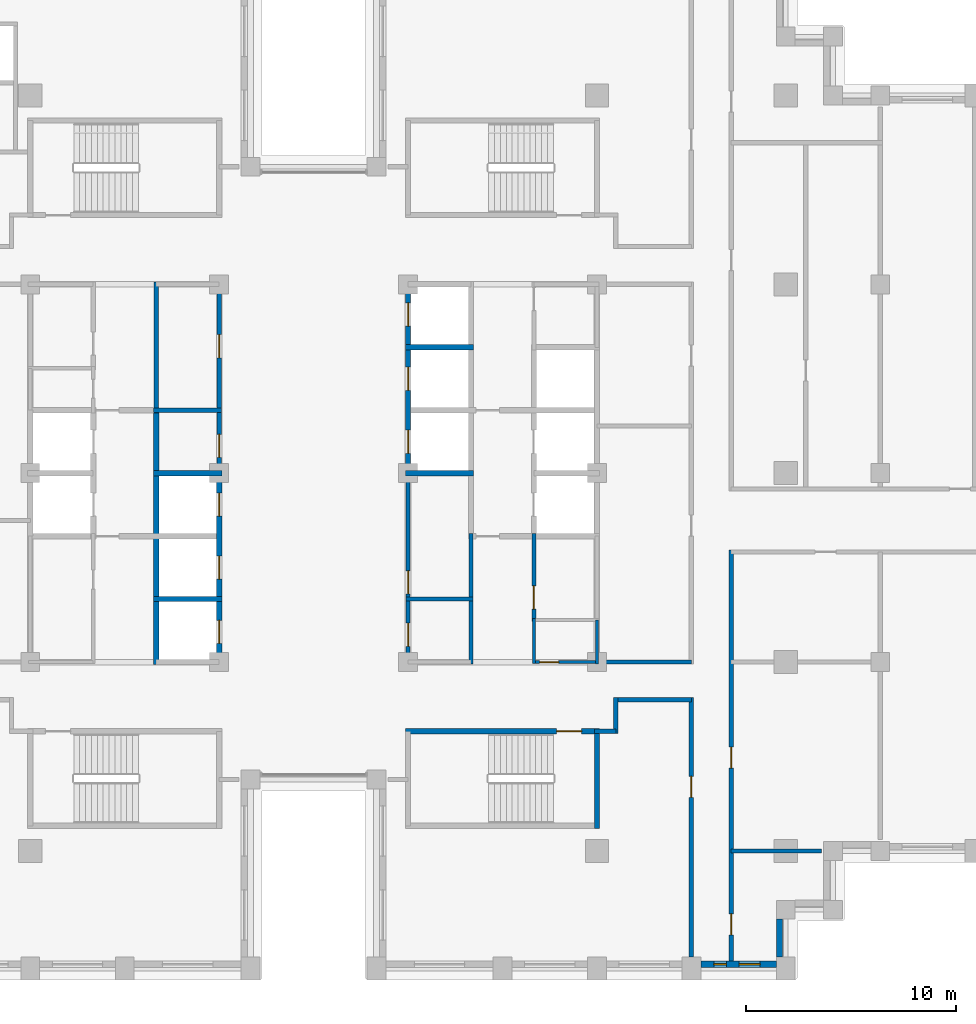
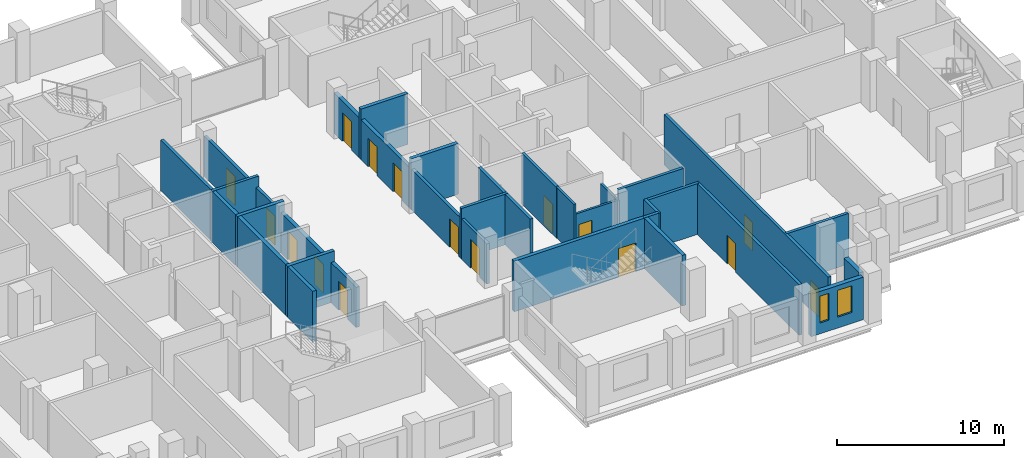
# One storey, part 8 of 16: 28 walls, 16 doors, 2 windows, 18 openings.
"""IFC4 building model written with IfcOpenShell, lengths in metres."""

from ifc_helpers import new_model, si_unit, direction, frame, frame_2d, origin, place, context, subcontext, project, spatial, rectangle, extrude, material, layer, layer_set, type_object, element, fill, save


model = new_model("IFC4")

# Units and contexts
model_context = context("Model", 3, precision=1e-05, world=origin(), true_north=direction((0.0, 1.0)))
body_context = subcontext(model_context, "Body", "Model", "MODEL_VIEW")
ifc_project = project(units=[si_unit("LENGTHUNIT", "METRE"), si_unit("AREAUNIT", "SQUARE_METRE"), si_unit("VOLUMEUNIT", "CUBIC_METRE"), si_unit("PLANEANGLEUNIT", "RADIAN"), si_unit("MASSUNIT", "GRAM", prefix="KILO")], contexts=[model_context])

# Site, building, storey
site_placement = place(None, origin())
site = spatial("IfcSite", under=ifc_project, at=site_placement, CompositionType="ELEMENT")
building_placement = place(site_placement, origin())
building = spatial("IfcBuilding", under=site, at=building_placement, Name="Corbelhall Arena Tower", CompositionType="ELEMENT")
storey_placement = place(building_placement, frame((0.0, 0.0, 150.0)))
storey = spatial("IfcBuildingStorey", under=building, at=storey_placement, Name="L29", CompositionType="ELEMENT", Elevation=150.0)

# Wall, openings, windows
ifc_material_1 = material(Name="Precast concrete C40/50 with granite facing", Category="masonry")
ifc_layer_1 = layer(ifc_material_1, 0.300048828125)
ifc_layer_set_1 = layer_set([ifc_layer_1], Name="EV-IW1 Infill panel 300")
wall_type_1 = type_object("IfcWallType", Name="EV-IW1 Infill panel 300", PredefinedType="SOLIDWALL", material=ifc_layer_set_1)
wall_1_placement = place(storey_placement, frame((18.449951171875, -23.39990234375, 0.0), z_axis=(0.0, 0.0, 1.0), x_axis=(1.0, 0.0, 0.0)))
wall_1 = element("IfcWall", 1, at=wall_1_placement, inside=storey, type_object=wall_type_1, Name="Infill panel IW1", PredefinedType="SOLIDWALL", context=body_context, shape_type="SweptSolid", body=[
    extrude(rectangle(XDim=3.60009765625, YDim=0.300048828125, at=frame_2d((1.800048828125, 0.0))), origin(), (0.0, 0.0, 1.0), 3.10009765625),
])
opening_1_placement = place(wall_1_placement, frame((0.625, 0.0, 0.800048828125)))
opening_1 = element("IfcOpeningElement", 2, at=opening_1_placement, cuts=wall_1, Name="Opening WN5", PredefinedType="OPENING", context=body_context, shape_type="SweptSolid", body=[
    extrude(rectangle(XDim=0.60009765625, YDim=1.949951171875, at=frame_2d((0.300048828125, 0.97509765625))), frame((0.0, 0.14990234375, 0.0), z_axis=(0.0, -1.0, 0.0), x_axis=(1.0, 0.0, 0.0)), (0.0, 0.0, 1.0), 0.300048828125),
])
opening_2_placement = place(wall_1_placement, frame((1.824951171875, 0.0, 0.800048828125)))
opening_2 = element("IfcOpeningElement", 3, at=opening_2_placement, cuts=wall_1, Name="Opening WN6", PredefinedType="OPENING", context=body_context, shape_type="SweptSolid", body=[
    extrude(rectangle(XDim=1.0, YDim=1.949951171875, at=frame_2d((0.5, 0.97509765625))), frame((0.0, 0.14990234375, 0.0), z_axis=(0.0, -1.0, 0.0), x_axis=(1.0, 0.0, 0.0)), (0.0, 0.0, 1.0), 0.300048828125),
])
ifc_material_2 = material(Name="Aluminium black anodised", Category="aluminium")
window_type_1 = type_object("IfcWindowType", Name="EV-WN5 Office window 600", PartitioningType="SINGLE_PANEL", PredefinedType="WINDOW", material=ifc_material_2)
window_1_placement = place(opening_1_placement, origin())
window_1 = element("IfcWindow", 4, at=window_1_placement, inside=storey, type_object=window_type_1, Name="Window WN5", OverallHeight=1.949951171875, OverallWidth=0.60009765625, PartitioningType="SINGLE_PANEL", PredefinedType="WINDOW", context=body_context, shape_type="SweptSolid", body=[
    extrude(rectangle(XDim=0.60009765625, YDim=1.949951171875, at=frame_2d((0.300048828125, 0.97509765625))), frame((0.0, 0.030029296875, 0.0), z_axis=(0.0, -1.0, 0.0), x_axis=(1.0, 0.0, 0.0)), (0.0, 0.0, 1.0), 0.06005859375),
])
fill(opening_1, window_1)
window_type_2 = type_object("IfcWindowType", Name="EV-WN6 Office window 1000", PartitioningType="SINGLE_PANEL", PredefinedType="WINDOW", material=ifc_material_2)
window_2_placement = place(opening_2_placement, origin())
window_2 = element("IfcWindow", 5, at=window_2_placement, inside=storey, type_object=window_type_2, Name="Window WN6", OverallHeight=1.949951171875, OverallWidth=1.0, PartitioningType="SINGLE_PANEL", PredefinedType="WINDOW", context=body_context, shape_type="SweptSolid", body=[
    extrude(rectangle(XDim=1.0, YDim=1.949951171875, at=frame_2d((0.5, 0.97509765625))), frame((0.0, 0.030029296875, 0.0), z_axis=(0.0, -1.0, 0.0), x_axis=(1.0, 0.0, 0.0)), (0.0, 0.0, 1.0), 0.06005859375),
])
fill(opening_2, window_2)

# Walls
wall_2_placement = place(storey_placement, frame((22.199951171875, -23.050048828125, 0.0), z_axis=(0.0, 0.0, 1.0), x_axis=(0.0, 1.0, 0.0)))
element("IfcWall", 6, at=wall_2_placement, inside=storey, type_object=wall_type_1, Name="Infill panel IW1", PredefinedType="SOLIDWALL", context=body_context, shape_type="SweptSolid", body=[
    extrude(rectangle(XDim=1.800048828125, YDim=0.300048828125, at=frame_2d((0.89990234375, 0.0))), origin(), (0.0, 0.0, 1.0), 3.10009765625),
])
ifc_material_3 = material(Name="Gypsum board on steel stud, acoustic", Category="steel")
ifc_layer_2 = layer(ifc_material_3, 0.199951171875)
ifc_layer_set_2 = layer_set([ifc_layer_2], Name="IN-W-DM200")
wall_type_2 = type_object("IfcWallType", Name="IN-W-DM200", PredefinedType="PARTITIONING", material=ifc_layer_set_2)
wall_3_placement = place(storey_placement, frame((13.5, -9.0, 0.0), z_axis=(0.0, 0.0, 1.0), x_axis=(1.0, 0.0, 0.0)))
element("IfcWall", 7, at=wall_3_placement, inside=storey, type_object=wall_type_2, Name="Partition 038", PredefinedType="PARTITIONING", context=body_context, shape_type="SweptSolid", body=[
    extrude(rectangle(XDim=4.5, YDim=0.199951171875, at=frame_2d((2.25, 0.0))), origin(), (0.0, 0.0, 1.0), 3.699951171875),
])
wall_4_placement = place(storey_placement, frame((14.39990234375, -12.300048828125, 0.0), z_axis=(0.0, 0.0, 1.0), x_axis=(-1.0, 0.0, 0.0)))
element("IfcWall", 8, at=wall_4_placement, inside=storey, type_object=wall_type_2, Name="Partition 040", PredefinedType="PARTITIONING", context=body_context, shape_type="SweptSolid", body=[
    extrude(rectangle(XDim=1.02490234375, YDim=0.199951171875, at=frame_2d((0.512451171875, 0.0))), origin(), (0.0, 0.0, 1.0), 3.699951171875),
])
wall_5_placement = place(storey_placement, frame((14.39990234375, -10.699951171875, 0.0), z_axis=(0.0, 0.0, 1.0), x_axis=(0.0, -1.0, 0.0)))
element("IfcWall", 9, at=wall_5_placement, inside=storey, type_object=wall_type_2, Name="Partition 041", PredefinedType="PARTITIONING", context=body_context, shape_type="SweptSolid", body=[
    extrude(rectangle(XDim=1.699951171875, YDim=0.199951171875, at=frame_2d((0.85009765625, 0.0))), origin(), (0.0, 0.0, 1.0), 3.699951171875),
])

# Wall, opening, door
wall_6_placement = place(storey_placement, frame((18.0, -23.050048828125, 0.0), z_axis=(0.0, 0.0, 1.0), x_axis=(0.0, 1.0, 0.0)))
wall_6 = element("IfcWall", 10, at=wall_6_placement, inside=storey, type_object=wall_type_2, Name="Partition 045", PredefinedType="PARTITIONING", context=body_context, shape_type="SweptSolid", body=[
    extrude(rectangle(XDim=12.35009765625, YDim=0.199951171875, at=frame_2d((6.175048828125, 0.0))), origin(), (0.0, 0.0, 1.0), 3.699951171875),
])
opening_3_placement = place(wall_6_placement, frame((7.60009765625, 0.0, 0.0)))
opening_3 = element("IfcOpeningElement", 11, at=opening_3_placement, cuts=wall_6, Name="Opening 08030", PredefinedType="OPENING", context=body_context, shape_type="SweptSolid", body=[
    extrude(rectangle(XDim=1.0, YDim=2.10009765625, at=frame_2d((0.5, 1.050048828125))), frame((0.0, 0.10009765625, 0.0), z_axis=(0.0, -1.0, 0.0), x_axis=(1.0, 0.0, 0.0)), (0.0, 0.0, 1.0), 0.199951171875),
])
ifc_material_4 = material(Name="Steel door set", Category="steel")
door_type_1 = type_object("IfcDoorType", Name="IN-D-SW100", OperationType="NOTDEFINED", PredefinedType="DOOR", material=ifc_material_4)
door_1_placement = place(opening_3_placement, origin())
door_1 = element("IfcDoor", 12, at=door_1_placement, inside=storey, type_object=door_type_1, Name="Door 030", OperationType="SINGLE_SWING_LEFT", OverallHeight=2.10009765625, OverallWidth=1.0, PredefinedType="DOOR", context=body_context, shape_type="SweptSolid", body=[
    extrude(rectangle(XDim=1.0, YDim=2.10009765625, at=frame_2d((0.5, 1.050048828125))), frame((0.0, 0.02490234375, 0.0), z_axis=(0.0, -1.0, 0.0), x_axis=(1.0, 0.0, 0.0)), (0.0, 0.0, 1.0), 0.050048828125),
])
fill(opening_3, door_1)

# Walls
wall_7_placement = place(storey_placement, frame((18.0, -10.800048828125, 0.0), z_axis=(0.0, 0.0, 1.0), x_axis=(-1.0, 0.0, 0.0)))
element("IfcWall", 13, at=wall_7_placement, inside=storey, type_object=wall_type_2, Name="Partition 046", PredefinedType="PARTITIONING", context=body_context, shape_type="SweptSolid", body=[
    extrude(rectangle(XDim=3.60009765625, YDim=0.199951171875, at=frame_2d((1.800048828125, 0.0))), origin(), (0.0, 0.0, 1.0), 3.699951171875),
])
wall_8_placement = place(storey_placement, frame((19.89990234375, -18.0, 0.0), z_axis=(0.0, 0.0, 1.0), x_axis=(1.0, 0.0, 0.0)))
element("IfcWall", 14, at=wall_8_placement, inside=storey, type_object=wall_type_2, Name="Partition 049", PredefinedType="PARTITIONING", context=body_context, shape_type="SweptSolid", body=[
    extrude(rectangle(XDim=4.300048828125, YDim=0.199951171875, at=frame_2d((2.14990234375, 0.0))), origin(), (0.0, 0.0, 1.0), 3.699951171875),
])

# Wall, openings, doors
wall_9_placement = place(storey_placement, frame((19.89990234375, -3.64990234375, 0.0), z_axis=(0.0, 0.0, 1.0), x_axis=(0.0, -1.0, 0.0)))
wall_9 = element("IfcWall", 15, at=wall_9_placement, inside=storey, type_object=wall_type_2, Name="Partition 050", PredefinedType="PARTITIONING", context=body_context, shape_type="SweptSolid", body=[
    extrude(rectangle(XDim=19.60009765625, YDim=0.199951171875, at=frame_2d((9.800048828125, 0.0))), origin(), (0.0, 0.0, 1.0), 3.699951171875),
])
opening_4_placement = place(wall_9_placement, frame((17.35009765625, 0.0, 0.0)))
opening_4 = element("IfcOpeningElement", 16, at=opening_4_placement, cuts=wall_9, Name="Opening 08039", PredefinedType="OPENING", context=body_context, shape_type="SweptSolid", body=[
    extrude(rectangle(XDim=1.0, YDim=2.10009765625, at=frame_2d((0.5, 1.050048828125))), frame((0.0, 0.10009765625, 0.0), z_axis=(0.0, -1.0, 0.0), x_axis=(1.0, 0.0, 0.0)), (0.0, 0.0, 1.0), 0.199951171875),
])
opening_5_placement = place(wall_9_placement, frame((9.39990234375, 0.0, 0.0)))
opening_5 = element("IfcOpeningElement", 17, at=opening_5_placement, cuts=wall_9, Name="Opening 08040", PredefinedType="OPENING", context=body_context, shape_type="SweptSolid", body=[
    extrude(rectangle(XDim=1.0, YDim=2.10009765625, at=frame_2d((0.5, 1.050048828125))), frame((0.0, 0.10009765625, 0.0), z_axis=(0.0, -1.0, 0.0), x_axis=(1.0, 0.0, 0.0)), (0.0, 0.0, 1.0), 0.199951171875),
])
door_2_placement = place(opening_4_placement, origin())
door_2 = element("IfcDoor", 18, at=door_2_placement, inside=storey, type_object=door_type_1, Name="Door 039", OperationType="SINGLE_SWING_RIGHT", OverallHeight=2.10009765625, OverallWidth=1.0, PredefinedType="DOOR", context=body_context, shape_type="SweptSolid", body=[
    extrude(rectangle(XDim=1.0, YDim=2.10009765625, at=frame_2d((0.5, 1.050048828125))), frame((0.0, 0.02490234375, 0.0), z_axis=(0.0, -1.0, 0.0), x_axis=(1.0, 0.0, 0.0)), (0.0, 0.0, 1.0), 0.050048828125),
])
fill(opening_4, door_2)
door_3_placement = place(opening_5_placement, origin())
door_3 = element("IfcDoor", 19, at=door_3_placement, inside=storey, type_object=door_type_1, Name="Door 040", OperationType="SINGLE_SWING_LEFT", OverallHeight=2.10009765625, OverallWidth=1.0, PredefinedType="DOOR", context=body_context, shape_type="SweptSolid", body=[
    extrude(rectangle(XDim=1.0, YDim=2.10009765625, at=frame_2d((0.5, 1.050048828125))), frame((0.0, 0.02490234375, 0.0), z_axis=(0.0, -1.0, 0.0), x_axis=(1.0, 0.0, 0.0)), (0.0, 0.0, 1.0), 0.050048828125),
])
fill(opening_5, door_3)

# Walls
ifc_material_5 = material(Name="Concrete block wall", Category="concrete")
ifc_layer_3 = layer(ifc_material_5, 0.199951171875)
ifc_layer_set_3 = layer_set([ifc_layer_3], Name="IN-W-RS200")
wall_type_3 = type_object("IfcWallType", Name="IN-W-RS200", PredefinedType="SOLIDWALL", material=ifc_layer_set_3)
wall_10_placement = place(storey_placement, frame((-7.625, 3.0, 0.0), z_axis=(0.0, 0.0, 1.0), x_axis=(1.0, 0.0, 0.0)))
element("IfcWall", 20, at=wall_10_placement, inside=storey, type_object=wall_type_3, Name="Partition 067", PredefinedType="SOLIDWALL", context=body_context, shape_type="SweptSolid", body=[
    extrude(rectangle(XDim=3.22509765625, YDim=0.199951171875, at=frame_2d((1.612548828125, 0.0))), origin(), (0.0, 0.0, 1.0), 3.699951171875),
])
wall_11_placement = place(storey_placement, frame((-7.5, 2.875, 0.0), z_axis=(0.0, 0.0, 1.0), x_axis=(0.0, 1.0, 0.0)))
element("IfcWall", 21, at=wall_11_placement, inside=storey, type_object=wall_type_3, Name="Partition 068", PredefinedType="SOLIDWALL", context=body_context, shape_type="SweptSolid", body=[
    extrude(rectangle(XDim=6.22509765625, YDim=0.199951171875, at=frame_2d((3.112548828125, 0.0))), origin(), (0.0, 0.0, 1.0), 3.699951171875),
])
wall_12_placement = place(storey_placement, frame((4.39990234375, -6.0, 0.0), z_axis=(0.0, 0.0, 1.0), x_axis=(1.0, 0.0, 0.0)))
element("IfcWall", 22, at=wall_12_placement, inside=storey, type_object=wall_type_3, Name="Partition 071", PredefinedType="SOLIDWALL", context=body_context, shape_type="SweptSolid", body=[
    extrude(rectangle(XDim=3.2001953125, YDim=0.199951171875, at=frame_2d((1.60009765625, 0.0))), origin(), (0.0, 0.0, 1.0), 3.699951171875),
])
wall_13_placement = place(storey_placement, frame((7.5, -2.875, 0.0), z_axis=(0.0, 0.0, 1.0), x_axis=(0.0, -1.0, 0.0)))
element("IfcWall", 23, at=wall_13_placement, inside=storey, type_object=wall_type_3, Name="Partition 074", PredefinedType="SOLIDWALL", context=body_context, shape_type="SweptSolid", body=[
    extrude(rectangle(XDim=6.22509765625, YDim=0.199951171875, at=frame_2d((3.112548828125, 0.0))), origin(), (0.0, 0.0, 1.0), 3.699951171875),
])

# Wall, opening, door
wall_14_placement = place(storey_placement, frame((10.5, -2.875, 0.0), z_axis=(0.0, 0.0, 1.0), x_axis=(0.0, -1.0, 0.0)))
wall_14 = element("IfcWall", 24, at=wall_14_placement, inside=storey, type_object=wall_type_3, Name="Partition 075", PredefinedType="SOLIDWALL", context=body_context, shape_type="SweptSolid", body=[
    extrude(rectangle(XDim=4.199951171875, YDim=0.199951171875, at=frame_2d((2.10009765625, 0.0))), origin(), (0.0, 0.0, 1.0), 3.699951171875),
])
opening_6_placement = place(wall_14_placement, frame((2.5, 0.0, 0.0)))
opening_6 = element("IfcOpeningElement", 25, at=opening_6_placement, cuts=wall_14, Name="Opening 08013", PredefinedType="OPENING", context=body_context, shape_type="SweptSolid", body=[
    extrude(rectangle(XDim=1.10009765625, YDim=2.10009765625, at=frame_2d((0.550048828125, 1.050048828125))), frame((0.0, 0.10009765625, 0.0), z_axis=(0.0, -1.0, 0.0), x_axis=(1.0, 0.0, 0.0)), (0.0, 0.0, 1.0), 0.199951171875),
])
door_type_2 = type_object("IfcDoorType", Name="IN-D-FD110", OperationType="NOTDEFINED", PredefinedType="DOOR", material=ifc_material_4)
door_4_placement = place(opening_6_placement, origin())
door_4 = element("IfcDoor", 26, at=door_4_placement, inside=storey, type_object=door_type_2, Name="Door 013", OperationType="SINGLE_SWING_RIGHT", OverallHeight=2.10009765625, OverallWidth=1.10009765625, PredefinedType="DOOR", context=body_context, shape_type="SweptSolid", body=[
    extrude(rectangle(XDim=1.10009765625, YDim=2.10009765625, at=frame_2d((0.550048828125, 1.050048828125))), frame((0.0, 0.02490234375, 0.0), z_axis=(0.0, -1.0, 0.0), x_axis=(1.0, 0.0, 0.0)), (0.0, 0.0, 1.0), 0.050048828125),
])
fill(opening_6, door_4)

# Wall, openings, doors
ifc_layer_4 = layer(ifc_material_5, 0.199951171875)
ifc_layer_set_4 = layer_set([ifc_layer_4], Name="IN-W-RS200 under beam 762 mm")
wall_type_4 = type_object("IfcWallType", Name="IN-W-RS200 under beam 762 mm", PredefinedType="SOLIDWALL", material=ifc_layer_set_4)
wall_15_placement = place(storey_placement, frame((-4.5, 9.10009765625, 0.0), z_axis=(0.0, 0.0, 1.0), x_axis=(0.0, -1.0, 0.0)))
wall_15 = element("IfcWall", 27, at=wall_15_placement, inside=storey, type_object=wall_type_4, Name="Partition 070", PredefinedType="SOLIDWALL", context=body_context, shape_type="SweptSolid", body=[
    extrude(rectangle(XDim=9.10009765625, YDim=0.199951171875, at=frame_2d((4.550048828125, 0.0))), origin(), (0.0, 0.0, 1.0), 2.93798828125),
])
opening_7_placement = place(wall_15_placement, frame((7.25, 0.0, 0.0)))
opening_7 = element("IfcOpeningElement", 28, at=opening_7_placement, cuts=wall_15, Name="Opening 08001", PredefinedType="OPENING", context=body_context, shape_type="SweptSolid", body=[
    extrude(rectangle(XDim=1.10009765625, YDim=2.10009765625, at=frame_2d((0.550048828125, 1.050048828125))), frame((0.0, 0.10009765625, 0.0), z_axis=(0.0, -1.0, 0.0), x_axis=(1.0, 0.0, 0.0)), (0.0, 0.0, 1.0), 0.199951171875),
])
opening_8_placement = place(wall_15_placement, frame((2.5, 0.0, 0.0)))
opening_8 = element("IfcOpeningElement", 29, at=opening_8_placement, cuts=wall_15, Name="Opening 08002", PredefinedType="OPENING", context=body_context, shape_type="SweptSolid", body=[
    extrude(rectangle(XDim=1.10009765625, YDim=2.10009765625, at=frame_2d((0.550048828125, 1.050048828125))), frame((0.0, 0.10009765625, 0.0), z_axis=(0.0, -1.0, 0.0), x_axis=(1.0, 0.0, 0.0)), (0.0, 0.0, 1.0), 0.199951171875),
])
door_5_placement = place(opening_7_placement, origin())
door_5 = element("IfcDoor", 30, at=door_5_placement, inside=storey, type_object=door_type_2, Name="Door 001", OperationType="SINGLE_SWING_RIGHT", OverallHeight=2.10009765625, OverallWidth=1.10009765625, PredefinedType="DOOR", context=body_context, shape_type="SweptSolid", body=[
    extrude(rectangle(XDim=1.10009765625, YDim=2.10009765625, at=frame_2d((0.550048828125, 1.050048828125))), frame((0.0, 0.02490234375, 0.0), z_axis=(0.0, -1.0, 0.0), x_axis=(1.0, 0.0, 0.0)), (0.0, 0.0, 1.0), 0.050048828125),
])
fill(opening_7, door_5)
door_6_placement = place(opening_8_placement, origin())
door_6 = element("IfcDoor", 31, at=door_6_placement, inside=storey, type_object=door_type_2, Name="Door 002", OperationType="SINGLE_SWING_LEFT", OverallHeight=2.10009765625, OverallWidth=1.10009765625, PredefinedType="DOOR", context=body_context, shape_type="SweptSolid", body=[
    extrude(rectangle(XDim=1.10009765625, YDim=2.10009765625, at=frame_2d((0.550048828125, 1.050048828125))), frame((0.0, 0.02490234375, 0.0), z_axis=(0.0, -1.0, 0.0), x_axis=(1.0, 0.0, 0.0)), (0.0, 0.0, 1.0), 0.050048828125),
])
fill(opening_8, door_6)

wall_16_placement = place(storey_placement, frame((4.5, -9.10009765625, 0.0), z_axis=(0.0, 0.0, 1.0), x_axis=(0.0, 1.0, 0.0)))
wall_16 = element("IfcWall", 32, at=wall_16_placement, inside=storey, type_object=wall_type_4, Name="Partition 072", PredefinedType="SOLIDWALL", context=body_context, shape_type="SweptSolid", body=[
    extrude(rectangle(XDim=9.10009765625, YDim=0.199951171875, at=frame_2d((4.550048828125, 0.0))), origin(), (0.0, 0.0, 1.0), 2.93798828125),
])
opening_9_placement = place(wall_16_placement, frame((0.85009765625, 0.0, 0.0)))
opening_9 = element("IfcOpeningElement", 33, at=opening_9_placement, cuts=wall_16, Name="Opening 08008", PredefinedType="OPENING", context=body_context, shape_type="SweptSolid", body=[
    extrude(rectangle(XDim=1.10009765625, YDim=2.10009765625, at=frame_2d((0.550048828125, 1.050048828125))), frame((0.0, 0.10009765625, 0.0), z_axis=(0.0, -1.0, 0.0), x_axis=(1.0, 0.0, 0.0)), (0.0, 0.0, 1.0), 0.199951171875),
])
opening_10_placement = place(wall_16_placement, frame((3.35009765625, 0.0, 0.0)))
opening_10 = element("IfcOpeningElement", 34, at=opening_10_placement, cuts=wall_16, Name="Opening 08009", PredefinedType="OPENING", context=body_context, shape_type="SweptSolid", body=[
    extrude(rectangle(XDim=1.10009765625, YDim=2.10009765625, at=frame_2d((0.550048828125, 1.050048828125))), frame((0.0, 0.10009765625, 0.0), z_axis=(0.0, -1.0, 0.0), x_axis=(1.0, 0.0, 0.0)), (0.0, 0.0, 1.0), 0.199951171875),
])
door_7_placement = place(opening_9_placement, origin())
door_7 = element("IfcDoor", 35, at=door_7_placement, inside=storey, type_object=door_type_2, Name="Door 008", OperationType="SINGLE_SWING_LEFT", OverallHeight=2.10009765625, OverallWidth=1.10009765625, PredefinedType="DOOR", context=body_context, shape_type="SweptSolid", body=[
    extrude(rectangle(XDim=1.10009765625, YDim=2.10009765625, at=frame_2d((0.550048828125, 1.050048828125))), frame((0.0, 0.02490234375, 0.0), z_axis=(0.0, -1.0, 0.0), x_axis=(1.0, 0.0, 0.0)), (0.0, 0.0, 1.0), 0.050048828125),
])
fill(opening_9, door_7)
door_8_placement = place(opening_10_placement, origin())
door_8 = element("IfcDoor", 36, at=door_8_placement, inside=storey, type_object=door_type_2, Name="Door 009", OperationType="SINGLE_SWING_RIGHT", OverallHeight=2.10009765625, OverallWidth=1.10009765625, PredefinedType="DOOR", context=body_context, shape_type="SweptSolid", body=[
    extrude(rectangle(XDim=1.10009765625, YDim=2.10009765625, at=frame_2d((0.550048828125, 1.050048828125))), frame((0.0, 0.02490234375, 0.0), z_axis=(0.0, -1.0, 0.0), x_axis=(1.0, 0.0, 0.0)), (0.0, 0.0, 1.0), 0.050048828125),
])
fill(opening_10, door_8)

# Walls
ifc_material_6 = material(Name="Concrete C40/50", Category="concrete")
ifc_layer_5 = layer(ifc_material_6, 0.25)
ifc_layer_set_5 = layer_set([ifc_layer_5], Name="IN-W-SH250")
wall_type_5 = type_object("IfcWallType", Name="IN-W-SH250", PredefinedType="SOLIDWALL", material=ifc_layer_set_5)
for number, where, z_axis, x_axis, name in (
    (37, (-7.625, -6.0, 0.0), (0.0, 0.0, 1.0), (1.0, 0.0, 0.0), "Shaft wall 085"),
    (38, (-7.625, 0.0, 0.0), (0.0, 0.0, 1.0), (1.0, 0.0, 0.0), "Shaft wall 086"),
):
    element("IfcWall", number, at=place(storey_placement, frame(where, z_axis=z_axis, x_axis=x_axis)), inside=storey, type_object=wall_type_5, Name=name, PredefinedType="SOLIDWALL", context=body_context, shape_type="SweptSolid", body=[
        extrude(rectangle(XDim=3.25, YDim=0.25, at=frame_2d((1.625, 0.0))), origin(), (0.0, 0.0, 1.0), 3.699951171875),
    ])
wall_17_placement = place(storey_placement, frame((-7.5, -9.125, 0.0), z_axis=(0.0, 0.0, 1.0), x_axis=(0.0, 1.0, 0.0)))
element("IfcWall", 39, at=wall_17_placement, inside=storey, type_object=wall_type_5, Name="Shaft wall 087", PredefinedType="SOLIDWALL", context=body_context, shape_type="SweptSolid", body=[
    extrude(rectangle(XDim=12.25, YDim=0.25, at=frame_2d((6.125, 0.0))), origin(), (0.0, 0.0, 1.0), 3.699951171875),
])
for number, where, z_axis, x_axis, name in (
    (40, (4.375, 0.0, 0.0), (0.0, 0.0, 1.0), (1.0, 0.0, 0.0), "Shaft wall 090"),
    (41, (4.375, 6.0, 0.0), (0.0, 0.0, 1.0), (1.0, 0.0, 0.0), "Shaft wall 092"),
):
    element("IfcWall", number, at=place(storey_placement, frame(where, z_axis=z_axis, x_axis=x_axis)), inside=storey, type_object=wall_type_5, Name=name, PredefinedType="SOLIDWALL", context=body_context, shape_type="SweptSolid", body=[
        extrude(rectangle(XDim=3.25, YDim=0.25, at=frame_2d((1.625, 0.0))), origin(), (0.0, 0.0, 1.0), 3.699951171875),
    ])

# Wall, openings, doors
ifc_layer_6 = layer(ifc_material_6, 0.25)
ifc_layer_set_6 = layer_set([ifc_layer_6], Name="IN-W-SH250 under beam 762 mm")
wall_type_6 = type_object("IfcWallType", Name="IN-W-SH250 under beam 762 mm", PredefinedType="SOLIDWALL", material=ifc_layer_set_6)
wall_18_placement = place(storey_placement, frame((-4.5, 0.0, 0.0), z_axis=(0.0, 0.0, 1.0), x_axis=(0.0, -1.0, 0.0)))
wall_18 = element("IfcWall", 42, at=wall_18_placement, inside=storey, type_object=wall_type_6, Name="Shaft wall 089", PredefinedType="SOLIDWALL", context=body_context, shape_type="SweptSolid", body=[
    extrude(rectangle(XDim=9.125, YDim=0.25, at=frame_2d((4.5625, 0.0))), origin(), (0.0, 0.0, 1.0), 2.93798828125),
])
opening_11_placement = place(wall_18_placement, frame((7.012451171875, 0.0, 0.0)))
opening_11 = element("IfcOpeningElement", 43, at=opening_11_placement, cuts=wall_18, Name="Opening LD", PredefinedType="OPENING", context=body_context, shape_type="SweptSolid", body=[
    extrude(rectangle(XDim=1.10009765625, YDim=2.10009765625, at=frame_2d((0.550048828125, 1.050048828125))), frame((0.0, 0.125, 0.0), z_axis=(0.0, -1.0, 0.0), x_axis=(1.0, 0.0, 0.0)), (0.0, 0.0, 1.0), 0.25),
])
opening_12_placement = place(wall_18_placement, frame((3.949951171875, 0.0, 0.0)))
opening_12 = element("IfcOpeningElement", 44, at=opening_12_placement, cuts=wall_18, Name="Opening LD", PredefinedType="OPENING", context=body_context, shape_type="SweptSolid", body=[
    extrude(rectangle(XDim=1.10009765625, YDim=2.10009765625, at=frame_2d((0.550048828125, 1.050048828125))), frame((0.0, 0.125, 0.0), z_axis=(0.0, -1.0, 0.0), x_axis=(1.0, 0.0, 0.0)), (0.0, 0.0, 1.0), 0.25),
])
opening_13_placement = place(wall_18_placement, frame((0.949951171875, 0.0, 0.0)))
opening_13 = element("IfcOpeningElement", 45, at=opening_13_placement, cuts=wall_18, Name="Opening LD", PredefinedType="OPENING", context=body_context, shape_type="SweptSolid", body=[
    extrude(rectangle(XDim=1.10009765625, YDim=2.10009765625, at=frame_2d((0.550048828125, 1.050048828125))), frame((0.0, 0.125, 0.0), z_axis=(0.0, -1.0, 0.0), x_axis=(1.0, 0.0, 0.0)), (0.0, 0.0, 1.0), 0.25),
])
door_type_3 = type_object("IfcDoorType", Name="IN-D-LD110", OperationType="NOTDEFINED", PredefinedType="DOOR", material=ifc_material_4)
door_9_placement = place(opening_11_placement, origin())
door_9 = element("IfcDoor", 46, at=door_9_placement, inside=storey, type_object=door_type_3, Name="Landing door W1", OperationType="SLIDING_TO_LEFT", OverallHeight=2.10009765625, OverallWidth=1.10009765625, PredefinedType="DOOR", context=body_context, shape_type="SweptSolid", body=[
    extrude(rectangle(XDim=1.10009765625, YDim=2.10009765625, at=frame_2d((0.550048828125, 1.050048828125))), frame((0.0, 0.02490234375, 0.0), z_axis=(0.0, -1.0, 0.0), x_axis=(1.0, 0.0, 0.0)), (0.0, 0.0, 1.0), 0.050048828125),
])
fill(opening_11, door_9)
door_10_placement = place(opening_12_placement, origin())
door_10 = element("IfcDoor", 47, at=door_10_placement, inside=storey, type_object=door_type_3, Name="Landing door W2", OperationType="SLIDING_TO_LEFT", OverallHeight=2.10009765625, OverallWidth=1.10009765625, PredefinedType="DOOR", context=body_context, shape_type="SweptSolid", body=[
    extrude(rectangle(XDim=1.10009765625, YDim=2.10009765625, at=frame_2d((0.550048828125, 1.050048828125))), frame((0.0, 0.02490234375, 0.0), z_axis=(0.0, -1.0, 0.0), x_axis=(1.0, 0.0, 0.0)), (0.0, 0.0, 1.0), 0.050048828125),
])
fill(opening_12, door_10)
door_11_placement = place(opening_13_placement, origin())
door_11 = element("IfcDoor", 48, at=door_11_placement, inside=storey, type_object=door_type_3, Name="Landing door W3", OperationType="SLIDING_TO_LEFT", OverallHeight=2.10009765625, OverallWidth=1.10009765625, PredefinedType="DOOR", context=body_context, shape_type="SweptSolid", body=[
    extrude(rectangle(XDim=1.10009765625, YDim=2.10009765625, at=frame_2d((0.550048828125, 1.050048828125))), frame((0.0, 0.02490234375, 0.0), z_axis=(0.0, -1.0, 0.0), x_axis=(1.0, 0.0, 0.0)), (0.0, 0.0, 1.0), 0.050048828125),
])
fill(opening_13, door_11)

wall_19_placement = place(storey_placement, frame((4.5, 0.0, 0.0), z_axis=(0.0, 0.0, 1.0), x_axis=(0.0, 1.0, 0.0)))
wall_19 = element("IfcWall", 49, at=wall_19_placement, inside=storey, type_object=wall_type_6, Name="Shaft wall 093", PredefinedType="SOLIDWALL", context=body_context, shape_type="SweptSolid", body=[
    extrude(rectangle(XDim=9.125, YDim=0.25, at=frame_2d((4.5625, 0.0))), origin(), (0.0, 0.0, 1.0), 2.93798828125),
])
opening_14_placement = place(wall_19_placement, frame((0.949951171875, 0.0, 0.0)))
opening_14 = element("IfcOpeningElement", 50, at=opening_14_placement, cuts=wall_19, Name="Opening LD", PredefinedType="OPENING", context=body_context, shape_type="SweptSolid", body=[
    extrude(rectangle(XDim=1.10009765625, YDim=2.10009765625, at=frame_2d((0.550048828125, 1.050048828125))), frame((0.0, 0.125, 0.0), z_axis=(0.0, -1.0, 0.0), x_axis=(1.0, 0.0, 0.0)), (0.0, 0.0, 1.0), 0.25),
])
opening_15_placement = place(wall_19_placement, frame((3.949951171875, 0.0, 0.0)))
opening_15 = element("IfcOpeningElement", 51, at=opening_15_placement, cuts=wall_19, Name="Opening LD", PredefinedType="OPENING", context=body_context, shape_type="SweptSolid", body=[
    extrude(rectangle(XDim=1.10009765625, YDim=2.10009765625, at=frame_2d((0.550048828125, 1.050048828125))), frame((0.0, 0.125, 0.0), z_axis=(0.0, -1.0, 0.0), x_axis=(1.0, 0.0, 0.0)), (0.0, 0.0, 1.0), 0.25),
])
opening_16_placement = place(wall_19_placement, frame((7.012451171875, 0.0, 0.0)))
opening_16 = element("IfcOpeningElement", 52, at=opening_16_placement, cuts=wall_19, Name="Opening LD", PredefinedType="OPENING", context=body_context, shape_type="SweptSolid", body=[
    extrude(rectangle(XDim=1.10009765625, YDim=2.10009765625, at=frame_2d((0.550048828125, 1.050048828125))), frame((0.0, 0.125, 0.0), z_axis=(0.0, -1.0, 0.0), x_axis=(1.0, 0.0, 0.0)), (0.0, 0.0, 1.0), 0.25),
])
door_12_placement = place(opening_14_placement, origin())
door_12 = element("IfcDoor", 53, at=door_12_placement, inside=storey, type_object=door_type_3, Name="Landing door E4", OperationType="SLIDING_TO_LEFT", OverallHeight=2.10009765625, OverallWidth=1.10009765625, PredefinedType="DOOR", context=body_context, shape_type="SweptSolid", body=[
    extrude(rectangle(XDim=1.10009765625, YDim=2.10009765625, at=frame_2d((0.550048828125, 1.050048828125))), frame((0.0, 0.02490234375, 0.0), z_axis=(0.0, -1.0, 0.0), x_axis=(1.0, 0.0, 0.0)), (0.0, 0.0, 1.0), 0.050048828125),
])
fill(opening_14, door_12)
door_13_placement = place(opening_15_placement, origin())
door_13 = element("IfcDoor", 54, at=door_13_placement, inside=storey, type_object=door_type_3, Name="Landing door E5", OperationType="SLIDING_TO_LEFT", OverallHeight=2.10009765625, OverallWidth=1.10009765625, PredefinedType="DOOR", context=body_context, shape_type="SweptSolid", body=[
    extrude(rectangle(XDim=1.10009765625, YDim=2.10009765625, at=frame_2d((0.550048828125, 1.050048828125))), frame((0.0, 0.02490234375, 0.0), z_axis=(0.0, -1.0, 0.0), x_axis=(1.0, 0.0, 0.0)), (0.0, 0.0, 1.0), 0.050048828125),
])
fill(opening_15, door_13)
door_14_placement = place(opening_16_placement, origin())
door_14 = element("IfcDoor", 55, at=door_14_placement, inside=storey, type_object=door_type_3, Name="Landing door E6", OperationType="SLIDING_TO_LEFT", OverallHeight=2.10009765625, OverallWidth=1.10009765625, PredefinedType="DOOR", context=body_context, shape_type="SweptSolid", body=[
    extrude(rectangle(XDim=1.10009765625, YDim=2.10009765625, at=frame_2d((0.550048828125, 1.050048828125))), frame((0.0, 0.02490234375, 0.0), z_axis=(0.0, -1.0, 0.0), x_axis=(1.0, 0.0, 0.0)), (0.0, 0.0, 1.0), 0.050048828125),
])
fill(opening_16, door_14)

# Wall
ifc_layer_7 = layer(ifc_material_6, 0.25)
ifc_layer_set_7 = layer_set([ifc_layer_7], Name="IN-W-ST250")
wall_type_7 = type_object("IfcWallType", Name="IN-W-ST250", PredefinedType="SOLIDWALL", material=ifc_layer_set_7)
wall_20_placement = place(storey_placement, frame((13.5, -12.300048828125, 0.0), z_axis=(0.0, 0.0, 1.0), x_axis=(0.0, -1.0, 0.0)))
element("IfcWall", 56, at=wall_20_placement, inside=storey, type_object=wall_type_7, Name="Shaft wall 120", PredefinedType="SOLIDWALL", context=body_context, shape_type="SweptSolid", body=[
    extrude(rectangle(XDim=4.625, YDim=0.25, at=frame_2d((2.3125, 0.0))), origin(), (0.0, 0.0, 1.0), 3.699951171875),
])

# Wall, opening, door
wall_21_placement = place(storey_placement, frame((13.625, -12.300048828125, 0.0), z_axis=(0.0, 0.0, 1.0), x_axis=(-1.0, 0.0, 0.0)))
wall_21 = element("IfcWall", 57, at=wall_21_placement, inside=storey, type_object=wall_type_7, Name="Shaft wall 122", PredefinedType="SOLIDWALL", context=body_context, shape_type="SweptSolid", body=[
    extrude(rectangle(XDim=9.25, YDim=0.25, at=frame_2d((4.625, 0.0))), origin(), (0.0, 0.0, 1.0), 3.699951171875),
])
opening_17_placement = place(wall_21_placement, frame((0.85009765625, 0.0, 0.0)))
opening_17 = element("IfcOpeningElement", 58, at=opening_17_placement, cuts=wall_21, Name="Opening 08018", PredefinedType="OPENING", context=body_context, shape_type="SweptSolid", body=[
    extrude(rectangle(XDim=1.199951171875, YDim=2.10009765625, at=frame_2d((0.60009765625, 1.050048828125))), frame((0.0, 0.125, 0.0), z_axis=(0.0, -1.0, 0.0), x_axis=(1.0, 0.0, 0.0)), (0.0, 0.0, 1.0), 0.25),
])
door_type_4 = type_object("IfcDoorType", Name="IN-D-ST120", OperationType="NOTDEFINED", PredefinedType="DOOR", material=ifc_material_4)
door_15_placement = place(opening_17_placement, origin())
door_15 = element("IfcDoor", 59, at=door_15_placement, inside=storey, type_object=door_type_4, Name="Door 018", OperationType="SINGLE_SWING_LEFT", OverallHeight=2.10009765625, OverallWidth=1.199951171875, PredefinedType="DOOR", context=body_context, shape_type="SweptSolid", body=[
    extrude(rectangle(XDim=1.199951171875, YDim=2.10009765625, at=frame_2d((0.60009765625, 1.050048828125))), frame((0.0, 0.02490234375, 0.0), z_axis=(0.0, -1.0, 0.0), x_axis=(1.0, 0.0, 0.0)), (0.0, 0.0, 1.0), 0.050048828125),
])
fill(opening_17, door_15)

# Walls
ifc_material_7 = material(Name="Gypsum board on steel stud, moisture resistant", Category="steel")
ifc_layer_8 = layer(ifc_material_7, 0.14990234375)
ifc_layer_set_8 = layer_set([ifc_layer_8], Name="IN-W-WC150")
wall_type_8 = type_object("IfcWallType", Name="IN-W-WC150", PredefinedType="PARTITIONING", material=ifc_layer_set_8)
wall_22_placement = place(storey_placement, frame((10.5, -6.925048828125, 0.0), z_axis=(0.0, 0.0, 1.0), x_axis=(0.0, -1.0, 0.0)))
element("IfcWall", 60, at=wall_22_placement, inside=storey, type_object=wall_type_8, Name="Partition 136", PredefinedType="PARTITIONING", context=body_context, shape_type="SweptSolid", body=[
    extrude(rectangle(XDim=2.14990234375, YDim=0.14990234375, at=frame_2d((1.074951171875, 0.0))), origin(), (0.0, 0.0, 1.0), 3.699951171875),
])
ifc_layer_9 = layer(ifc_material_7, 0.14990234375)
ifc_layer_set_9 = layer_set([ifc_layer_9], Name="IN-W-WC150 under beam 762 mm")
wall_type_9 = type_object("IfcWallType", Name="IN-W-WC150 under beam 762 mm", PredefinedType="PARTITIONING", material=ifc_layer_set_9)
wall_23_placement = place(storey_placement, frame((13.5, -7.0, 0.0), z_axis=(0.0, 0.0, 1.0), x_axis=(0.0, -1.0, 0.0)))
element("IfcWall", 61, at=wall_23_placement, inside=storey, type_object=wall_type_9, Name="Partition 137", PredefinedType="PARTITIONING", context=body_context, shape_type="SweptSolid", body=[
    extrude(rectangle(XDim=2.10009765625, YDim=0.14990234375, at=frame_2d((1.050048828125, 0.0))), origin(), (0.0, 0.0, 1.0), 2.93798828125),
])

# Wall, opening, door
wall_24_placement = place(storey_placement, frame((13.574951171875, -9.0, 0.0), z_axis=(0.0, 0.0, 1.0), x_axis=(-1.0, 0.0, 0.0)))
wall_24 = element("IfcWall", 62, at=wall_24_placement, inside=storey, type_object=wall_type_9, Name="Partition 138", PredefinedType="PARTITIONING", context=body_context, shape_type="SweptSolid", body=[
    extrude(rectangle(XDim=3.074951171875, YDim=0.14990234375, at=frame_2d((1.53759765625, 0.0))), origin(), (0.0, 0.0, 1.0), 2.93798828125),
])
opening_18_placement = place(wall_24_placement, frame((1.89990234375, 0.0, 0.0)))
opening_18 = element("IfcOpeningElement", 63, at=opening_18_placement, cuts=wall_24, Name="Opening 08012", PredefinedType="OPENING", context=body_context, shape_type="SweptSolid", body=[
    extrude(rectangle(XDim=0.89990234375, YDim=2.10009765625, at=frame_2d((0.449951171875, 1.050048828125))), frame((0.0, 0.074951171875, 0.0), z_axis=(0.0, -1.0, 0.0), x_axis=(1.0, 0.0, 0.0)), (0.0, 0.0, 1.0), 0.14990234375),
])
ifc_material_8 = material(Name="Timber door set", Category="wood")
door_type_5 = type_object("IfcDoorType", Name="IN-D-SW90", OperationType="NOTDEFINED", PredefinedType="DOOR", material=ifc_material_8)
door_16_placement = place(opening_18_placement, origin())
door_16 = element("IfcDoor", 64, at=door_16_placement, inside=storey, type_object=door_type_5, Name="Door 012", OperationType="SINGLE_SWING_LEFT", OverallHeight=2.10009765625, OverallWidth=0.89990234375, PredefinedType="DOOR", context=body_context, shape_type="SweptSolid", body=[
    extrude(rectangle(XDim=0.89990234375, YDim=2.10009765625, at=frame_2d((0.449951171875, 1.050048828125))), frame((0.0, 0.02490234375, 0.0), z_axis=(0.0, -1.0, 0.0), x_axis=(1.0, 0.0, 0.0)), (0.0, 0.0, 1.0), 0.050048828125),
])
fill(opening_18, door_16)

save(model, "model.ifc")
